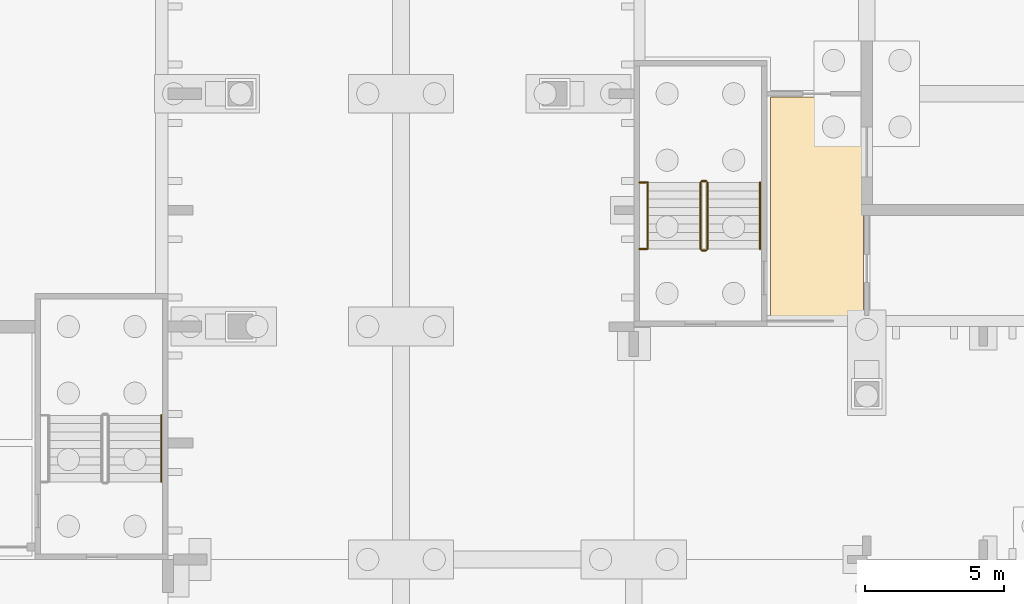
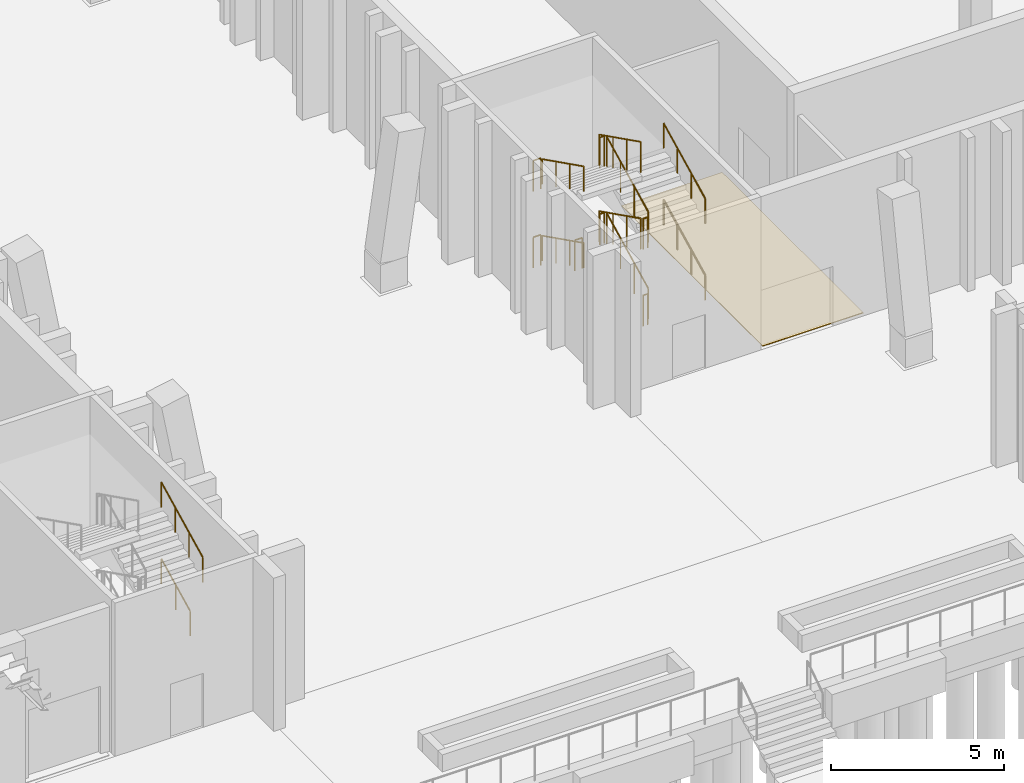
# One storey, part 113 of 129: 17 railings, 1 covering.
"""IFC4 building model written with IfcOpenShell, lengths in metres."""

from ifc_helpers import new_model, si_unit, direction, frame, origin, origin_2d, place, context, subcontext, project, spatial, polyline, circle, outline, extrude, material, layer, layer_set, type_object, element, save


model = new_model("IFC4")

# Units and contexts
model_context = context("Model", 3, precision=1e-05, world=origin(), true_north=direction((0.0, 1.0)))
body_context = subcontext(model_context, "Body", "Model", "MODEL_VIEW")
ifc_project = project(units=[si_unit("LENGTHUNIT", "METRE"), si_unit("AREAUNIT", "SQUARE_METRE"), si_unit("VOLUMEUNIT", "CUBIC_METRE"), si_unit("PLANEANGLEUNIT", "RADIAN"), si_unit("MASSUNIT", "GRAM", prefix="KILO")], contexts=[model_context])

# Site, building, storey
site_placement = place(None, origin())
site = spatial("IfcSite", under=ifc_project, at=site_placement, CompositionType="ELEMENT")
building_placement = place(site_placement, origin())
building = spatial("IfcBuilding", under=site, at=building_placement, Name="Kiln Court Media Centre", CompositionType="ELEMENT")
storey_placement = place(building_placement, origin())
storey = spatial("IfcBuildingStorey", under=building, at=storey_placement, Name="L00", CompositionType="ELEMENT", Elevation=0.0)

# Covering
ifc_material_1 = material(Name="Terrazzo")
ifc_layer = layer(ifc_material_1, 0.02490234375)
ifc_layer_set = layer_set([ifc_layer], Name="Polished terrazzo floor finish 25")
covering_type = type_object("IfcCoveringType", Name="Polished terrazzo floor finish 25", PredefinedType="FLOORING", material=ifc_layer_set)
covering_placement = place(storey_placement, origin())
element("IfcCovering", 1, at=covering_placement, inside=storey, type_object=covering_type, Name="Studio Reception floor finish", PredefinedType="FLOORING", context=body_context, shape_type="SweptSolid", body=[
    extrude(outline(polyline([(125.8798828125, 41.8798828125), (122.52001953125, 41.8798828125), (122.52001953125, 33.719970703125), (125.8798828125, 33.719970703125), (125.8798828125, 41.8798828125)])), origin(), (0.0, 0.0, 1.0), 0.02490234375),
])

# Railings
ifc_material_2 = material(Name="Steel S275", Category="steel")
railing_type_1 = type_object("IfcRailingType", Name="Steel S275 stair guard 1100", PredefinedType="GUARDRAIL", material=ifc_material_2)
railing_1_placement = place(storey_placement, frame((120.25, 36.39990234375, 0.14990234375)))
element("IfcRailing", 2, at=railing_1_placement, inside=storey, type_object=railing_type_1, Name="ST-13 stair guard", PredefinedType="GUARDRAIL", context=body_context, shape_type="SweptSolid", body=[
    extrude(circle(Radius=0.02392578125, at=origin_2d()), frame((0.0, 0.0, 1.076171875), z_axis=(0.0, 0.894408994573, 0.447249986504), x_axis=(-1.0, 0.0, 0.0)), (0.0, 0.0, 1.0), 2.68359375),
    extrude(circle(Radius=0.02099609375, at=origin_2d()), origin(), (0.0, 0.0, 1.0), 1.052001953125),
    extrude(circle(Radius=0.02099609375, at=origin_2d()), frame((0.0, 0.800048828125, 0.400146484375)), (0.0, 0.0, 1.0), 1.052001953125),
    extrude(circle(Radius=0.02099609375, at=origin_2d()), frame((0.0, 1.60009765625, 0.800048828125)), (0.0, 0.0, 1.0), 1.052001953125),
    extrude(circle(Radius=0.02099609375, at=origin_2d()), frame((0.0, 2.400146484375, 1.2001953125)), (0.0, 0.0, 1.0), 1.052001953125),
])
railing_2_placement = place(storey_placement, frame((120.199951171875, 38.85009765625, 1.35009765625)))
element("IfcRailing", 3, at=railing_2_placement, inside=storey, type_object=railing_type_1, Name="ST-13 stair guard", PredefinedType="GUARDRAIL", context=body_context, shape_type="SweptSolid", body=[
    extrude(circle(Radius=0.02392578125, at=origin_2d()), frame((0.0, 0.0, 1.076171875), z_axis=(-1.0, 0.0, 0.0), x_axis=(0.0, -1.0, 0.0)), (0.0, 0.0, 1.0), 0.14990234375),
    extrude(circle(Radius=0.02099609375, at=origin_2d()), origin(), (0.0, 0.0, 1.0), 1.052001953125),
    extrude(circle(Radius=0.02099609375, at=origin_2d()), frame((-0.14990234375, 0.0, 0.0)), (0.0, 0.0, 1.0), 1.052001953125),
])
railing_3_placement = place(storey_placement, frame((120.0, 38.800048828125, 1.5)))
element("IfcRailing", 4, at=railing_3_placement, inside=storey, type_object=railing_type_1, Name="ST-13 stair guard", PredefinedType="GUARDRAIL", context=body_context, shape_type="SweptSolid", body=[
    extrude(circle(Radius=0.02392578125, at=origin_2d()), frame((0.0, 0.0, 1.076171875), z_axis=(0.0, -0.894445386687, 0.447177202275), x_axis=(1.0, 0.0, 0.0)), (0.0, 0.0, 1.0), 2.683349609375),
    extrude(circle(Radius=0.02099609375, at=origin_2d()), origin(), (0.0, 0.0, 1.0), 1.052001953125),
    extrude(circle(Radius=0.02099609375, at=origin_2d()), frame((0.0, -0.800048828125, 0.39990234375)), (0.0, 0.0, 1.0), 1.052001953125),
    extrude(circle(Radius=0.02099609375, at=origin_2d()), frame((0.0, -1.60009765625, 0.800048828125)), (0.0, 0.0, 1.0), 1.052001953125),
    extrude(circle(Radius=0.02099609375, at=origin_2d()), frame((0.0, -2.400146484375, 1.199951171875)), (0.0, 0.0, 1.0), 1.052001953125),
])
railing_4_placement = place(storey_placement, frame((120.199951171875, 36.35009765625, 2.699951171875)))
element("IfcRailing", 5, at=railing_4_placement, inside=storey, type_object=railing_type_1, Name="ST-13 stair guard", PredefinedType="GUARDRAIL", context=body_context, shape_type="SweptSolid", body=[
    extrude(circle(Radius=0.02392578125, at=origin_2d()), frame((0.0, 0.0, 1.076171875), z_axis=(-1.0, 0.0, 0.0), x_axis=(0.0, -1.0, 0.0)), (0.0, 0.0, 1.0), 0.14990234375),
    extrude(circle(Radius=0.02099609375, at=origin_2d()), origin(), (0.0, 0.0, 1.0), 1.052001953125),
    extrude(circle(Radius=0.02099609375, at=origin_2d()), frame((-0.14990234375, 0.0, 0.0)), (0.0, 0.0, 1.0), 1.052001953125),
])
railing_5_placement = place(storey_placement, frame((120.25, 36.39990234375, 2.85009765625)))
element("IfcRailing", 6, at=railing_5_placement, inside=storey, type_object=railing_type_1, Name="ST-13 stair guard", PredefinedType="GUARDRAIL", context=body_context, shape_type="SweptSolid", body=[
    extrude(circle(Radius=0.02392578125, at=origin_2d()), frame((0.0, 0.0, 1.076171875), z_axis=(0.0, 0.894445386687, 0.447177202275), x_axis=(-1.0, 0.0, 0.0)), (0.0, 0.0, 1.0), 2.683349609375),
    extrude(circle(Radius=0.02099609375, at=origin_2d()), origin(), (0.0, 0.0, 1.0), 1.052001953125),
    extrude(circle(Radius=0.02099609375, at=origin_2d()), frame((0.0, 0.800048828125, 0.39990234375)), (0.0, 0.0, 1.0), 1.052001953125),
    extrude(circle(Radius=0.02099609375, at=origin_2d()), frame((0.0, 1.60009765625, 0.800048828125)), (0.0, 0.0, 1.0), 1.052001953125),
    extrude(circle(Radius=0.02099609375, at=origin_2d()), frame((0.0, 2.400146484375, 1.199951171875)), (0.0, 0.0, 1.0), 1.052001953125),
])
railing_6_placement = place(storey_placement, frame((120.199951171875, 38.85009765625, 4.050048828125)))
element("IfcRailing", 7, at=railing_6_placement, inside=storey, type_object=railing_type_1, Name="ST-13 stair guard", PredefinedType="GUARDRAIL", context=body_context, shape_type="SweptSolid", body=[
    extrude(circle(Radius=0.02392578125, at=origin_2d()), frame((0.0, 0.0, 1.076171875), z_axis=(-1.0, 0.0, 0.0), x_axis=(0.0, -1.0, 0.0)), (0.0, 0.0, 1.0), 0.14990234375),
    extrude(circle(Radius=0.02099609375, at=origin_2d()), origin(), (0.0, 0.0, 1.0), 1.052001953125),
    extrude(circle(Radius=0.02099609375, at=origin_2d()), frame((-0.14990234375, 0.0, 0.0)), (0.0, 0.0, 1.0), 1.052001953125),
])
railing_7_placement = place(storey_placement, frame((120.0, 38.800048828125, 4.199951171875)))
element("IfcRailing", 8, at=railing_7_placement, inside=storey, type_object=railing_type_1, Name="ST-13 stair guard", PredefinedType="GUARDRAIL", context=body_context, shape_type="SweptSolid", body=[
    extrude(circle(Radius=0.02392578125, at=origin_2d()), frame((0.0, 0.0, 1.076171875), z_axis=(0.0, -0.894445386687, 0.447177202275), x_axis=(1.0, 0.0, 0.0)), (0.0, 0.0, 1.0), 2.683349609375),
    extrude(circle(Radius=0.02099609375, at=origin_2d()), origin(), (0.0, 0.0, 1.0), 1.052001953125),
    extrude(circle(Radius=0.02099609375, at=origin_2d()), frame((0.0, -0.800048828125, 0.39990234375)), (0.0, 0.0, 1.0), 1.052001953125),
    extrude(circle(Radius=0.02099609375, at=origin_2d()), frame((0.0, -1.60009765625, 0.800048828125)), (0.0, 0.0, 1.0), 1.052001953125),
    extrude(circle(Radius=0.02099609375, at=origin_2d()), frame((0.0, -2.400146484375, 1.199951171875)), (0.0, 0.0, 1.0), 1.052001953125),
])
railing_8_placement = place(storey_placement, frame((120.199951171875, 36.35009765625, 0.0)))
element("IfcRailing", 9, at=railing_8_placement, inside=storey, type_object=railing_type_1, Name="ST-13 stair guard", PredefinedType="GUARDRAIL", context=body_context, shape_type="SweptSolid", body=[
    extrude(circle(Radius=0.02392578125, at=origin_2d()), frame((0.0, 0.0, 1.076171875), z_axis=(-1.0, 0.0, 0.0), x_axis=(0.0, -1.0, 0.0)), (0.0, 0.0, 1.0), 0.14990234375),
    extrude(circle(Radius=0.02099609375, at=origin_2d()), origin(), (0.0, 0.0, 1.0), 1.052001953125),
    extrude(circle(Radius=0.02099609375, at=origin_2d()), frame((-0.14990234375, 0.0, 0.0)), (0.0, 0.0, 1.0), 1.052001953125),
])
for number, where, name in (
    (10, (118.050048828125, 38.800048828125, 1.35009765625), "ST-13 landing edge guard"),
    (11, (118.050048828125, 36.39990234375, 2.699951171875), "ST-13 landing edge guard"),
    (12, (118.050048828125, 38.800048828125, 4.050048828125), "ST-13 landing edge guard"),
):
    element("IfcRailing", number, at=place(storey_placement, frame(where)), inside=storey, type_object=railing_type_1, Name=name, PredefinedType="GUARDRAIL", context=body_context, shape_type="SweptSolid", body=[
        extrude(circle(Radius=0.02392578125, at=origin_2d()), frame((0.0, 0.0, 1.076171875), z_axis=(-1.0, 0.0, 0.0), x_axis=(0.0, -1.0, 0.0)), (0.0, 0.0, 1.0), 0.25),
        extrude(circle(Radius=0.02099609375, at=origin_2d()), origin(), (0.0, 0.0, 1.0), 1.052001953125),
        extrude(circle(Radius=0.02099609375, at=origin_2d()), frame((-0.25, 0.0, 0.0)), (0.0, 0.0, 1.0), 1.052001953125),
    ])
ifc_material_3 = material(Name="Steel S275", Category="steel")
railing_type_2 = type_object("IfcRailingType", Name="Steel S275 stair handrail 900", PredefinedType="HANDRAIL", material=ifc_material_3)
railing_9_placement = place(storey_placement, frame((100.550048828125, 28.739990234375, 0.52001953125)))
element("IfcRailing", 13, at=railing_9_placement, inside=storey, type_object=railing_type_2, Name="ST-10 stair handrail", PredefinedType="HANDRAIL", context=body_context, shape_type="SweptSolid", body=[
    extrude(circle(Radius=0.02392578125, at=origin_2d()), frame((0.0, 0.0, 0.8759765625), z_axis=(0.0, 0.894400879675, 0.447266214281), x_axis=(-1.0, 0.0, 0.0)), (0.0, 0.0, 1.0), 1.85595703125),
    extrude(circle(Radius=0.02099609375, at=origin_2d()), origin(), (0.0, 0.0, 1.0), 0.851806640625),
    extrude(circle(Radius=0.02099609375, at=origin_2d()), frame((0.0, 0.830078125, 0.4150390625)), (0.0, 0.0, 1.0), 0.851806640625),
    extrude(circle(Radius=0.02099609375, at=origin_2d()), frame((0.0, 1.659912109375, 0.830078125)), (0.0, 0.0, 1.0), 0.851806640625),
])
railing_10_placement = place(storey_placement, frame((100.550048828125, 28.0, 2.85009765625)))
element("IfcRailing", 14, at=railing_10_placement, inside=storey, type_object=railing_type_2, Name="ST-10 stair handrail", PredefinedType="HANDRAIL", context=body_context, shape_type="SweptSolid", body=[
    extrude(circle(Radius=0.02392578125, at=origin_2d()), frame((0.0, 0.0, 0.8759765625), z_axis=(0.0, 0.894427191, 0.4472135955), x_axis=(-1.0, 0.0, 0.0)), (0.0, 0.0, 1.0), 2.68310546875),
    extrude(circle(Radius=0.02099609375, at=origin_2d()), origin(), (0.0, 0.0, 1.0), 0.851806640625),
    extrude(circle(Radius=0.02099609375, at=origin_2d()), frame((0.0, 0.800048828125, 0.39990234375)), (0.0, 0.0, 1.0), 0.851806640625),
    extrude(circle(Radius=0.02099609375, at=origin_2d()), frame((0.0, 1.599853515625, 0.800048828125)), (0.0, 0.0, 1.0), 0.851806640625),
    extrude(circle(Radius=0.02099609375, at=origin_2d()), frame((0.0, 2.39990234375, 1.199951171875)), (0.0, 0.0, 1.0), 0.851806640625),
])
railing_11_placement = place(storey_placement, frame((122.14990234375, 36.39990234375, 0.14990234375)))
element("IfcRailing", 15, at=railing_11_placement, inside=storey, type_object=railing_type_2, Name="ST-13 stair handrail", PredefinedType="HANDRAIL", context=body_context, shape_type="SweptSolid", body=[
    extrude(circle(Radius=0.02392578125, at=origin_2d()), frame((0.0, 0.0, 0.8759765625), z_axis=(0.0, 0.894408994573, 0.447249986504), x_axis=(-1.0, 0.0, 0.0)), (0.0, 0.0, 1.0), 2.68359375),
    extrude(circle(Radius=0.02099609375, at=origin_2d()), origin(), (0.0, 0.0, 1.0), 0.851806640625),
    extrude(circle(Radius=0.02099609375, at=origin_2d()), frame((0.0, 0.800048828125, 0.400146484375)), (0.0, 0.0, 1.0), 0.851806640625),
    extrude(circle(Radius=0.02099609375, at=origin_2d()), frame((0.0, 1.60009765625, 0.800048828125)), (0.0, 0.0, 1.0), 0.851806640625),
    extrude(circle(Radius=0.02099609375, at=origin_2d()), frame((0.0, 2.400146484375, 1.2001953125)), (0.0, 0.0, 1.0), 0.851806640625),
])
railing_12_placement = place(storey_placement, frame((118.10009765625, 38.800048828125, 1.5)))
element("IfcRailing", 16, at=railing_12_placement, inside=storey, type_object=railing_type_2, Name="ST-13 stair handrail", PredefinedType="HANDRAIL", context=body_context, shape_type="SweptSolid", body=[
    extrude(circle(Radius=0.02392578125, at=origin_2d()), frame((0.0, 0.0, 0.8759765625), z_axis=(0.0, -0.894445386687, 0.447177202275), x_axis=(1.0, 0.0, 0.0)), (0.0, 0.0, 1.0), 2.683349609375),
    extrude(circle(Radius=0.02099609375, at=origin_2d()), origin(), (0.0, 0.0, 1.0), 0.851806640625),
    extrude(circle(Radius=0.02099609375, at=origin_2d()), frame((0.0, -0.800048828125, 0.39990234375)), (0.0, 0.0, 1.0), 0.851806640625),
    extrude(circle(Radius=0.02099609375, at=origin_2d()), frame((0.0, -1.60009765625, 0.800048828125)), (0.0, 0.0, 1.0), 0.851806640625),
    extrude(circle(Radius=0.02099609375, at=origin_2d()), frame((0.0, -2.400146484375, 1.199951171875)), (0.0, 0.0, 1.0), 0.851806640625),
])
railing_13_placement = place(storey_placement, frame((122.14990234375, 36.39990234375, 2.85009765625)))
element("IfcRailing", 17, at=railing_13_placement, inside=storey, type_object=railing_type_2, Name="ST-13 stair handrail", PredefinedType="HANDRAIL", context=body_context, shape_type="SweptSolid", body=[
    extrude(circle(Radius=0.02392578125, at=origin_2d()), frame((0.0, 0.0, 0.8759765625), z_axis=(0.0, 0.894445386687, 0.447177202275), x_axis=(-1.0, 0.0, 0.0)), (0.0, 0.0, 1.0), 2.683349609375),
    extrude(circle(Radius=0.02099609375, at=origin_2d()), origin(), (0.0, 0.0, 1.0), 0.851806640625),
    extrude(circle(Radius=0.02099609375, at=origin_2d()), frame((0.0, 0.800048828125, 0.39990234375)), (0.0, 0.0, 1.0), 0.851806640625),
    extrude(circle(Radius=0.02099609375, at=origin_2d()), frame((0.0, 1.60009765625, 0.800048828125)), (0.0, 0.0, 1.0), 0.851806640625),
    extrude(circle(Radius=0.02099609375, at=origin_2d()), frame((0.0, 2.400146484375, 1.199951171875)), (0.0, 0.0, 1.0), 0.851806640625),
])
railing_14_placement = place(storey_placement, frame((118.10009765625, 38.800048828125, 4.199951171875)))
element("IfcRailing", 18, at=railing_14_placement, inside=storey, type_object=railing_type_2, Name="ST-13 stair handrail", PredefinedType="HANDRAIL", context=body_context, shape_type="SweptSolid", body=[
    extrude(circle(Radius=0.02392578125, at=origin_2d()), frame((0.0, 0.0, 0.8759765625), z_axis=(0.0, -0.894445386687, 0.447177202275), x_axis=(1.0, 0.0, 0.0)), (0.0, 0.0, 1.0), 2.683349609375),
    extrude(circle(Radius=0.02099609375, at=origin_2d()), origin(), (0.0, 0.0, 1.0), 0.851806640625),
    extrude(circle(Radius=0.02099609375, at=origin_2d()), frame((0.0, -0.800048828125, 0.39990234375)), (0.0, 0.0, 1.0), 0.851806640625),
    extrude(circle(Radius=0.02099609375, at=origin_2d()), frame((0.0, -1.60009765625, 0.800048828125)), (0.0, 0.0, 1.0), 0.851806640625),
    extrude(circle(Radius=0.02099609375, at=origin_2d()), frame((0.0, -2.400146484375, 1.199951171875)), (0.0, 0.0, 1.0), 0.851806640625),
])

save(model, "model.ifc")
